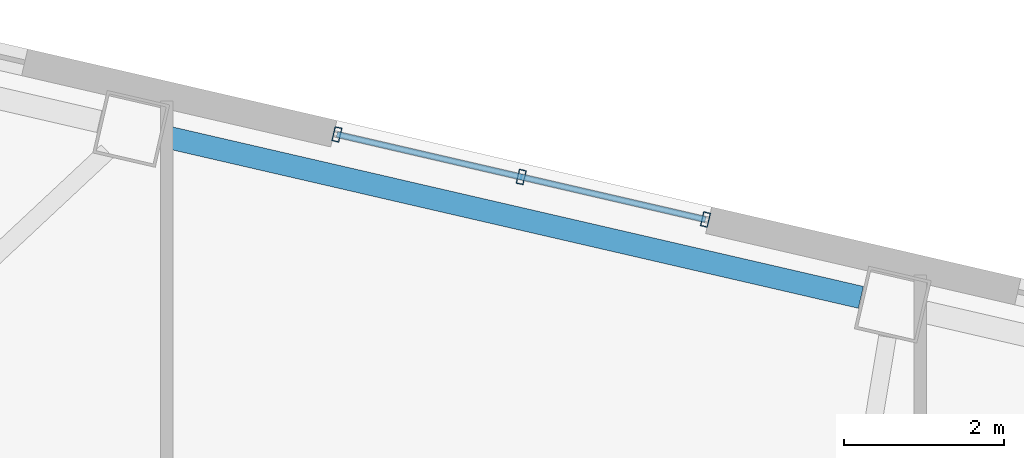
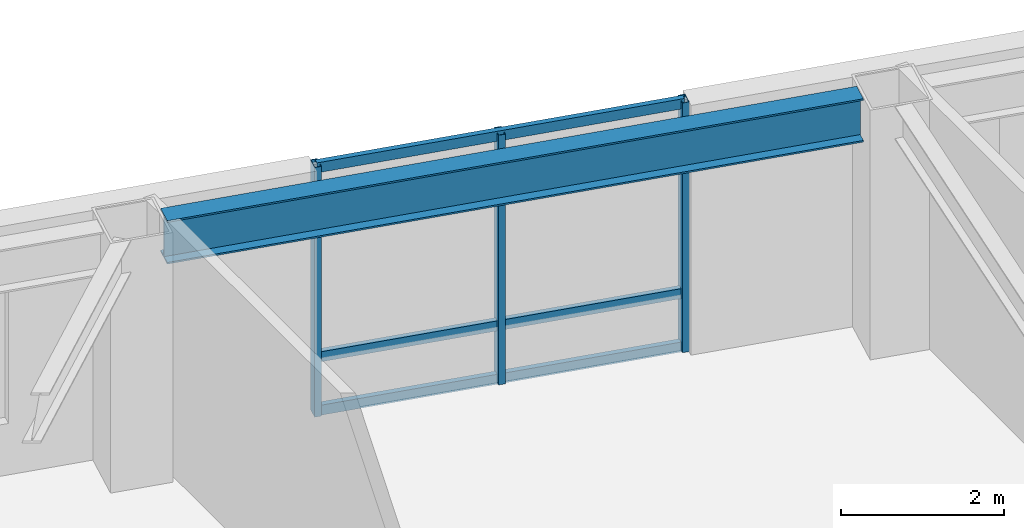
# One storey, part 8 of 23: 6 members, 1 beam, 1 element without a shape of its own.
"""IFC4 building model written with IfcOpenShell, lengths in metres."""

from ifc_helpers import new_model, si_unit, direction, frame, origin, origin_2d, place, context, subcontext, project, spatial, hollow_rectangle, i_section, extrude, material, layer, layer_set, material_profile, profile_set, type_object, element, aggregate, save


model = new_model("IFC4")

# Units and contexts
model_context = context("Model", 3, precision=1e-05, world=origin(), true_north=direction((0.0, 1.0)))
body_context = subcontext(model_context, "Body", "Model", "MODEL_VIEW")
ifc_project = project(units=[si_unit("LENGTHUNIT", "METRE"), si_unit("AREAUNIT", "SQUARE_METRE"), si_unit("VOLUMEUNIT", "CUBIC_METRE"), si_unit("PLANEANGLEUNIT", "RADIAN"), si_unit("MASSUNIT", "GRAM", prefix="KILO")], contexts=[model_context])

# Site, building, storey
site_placement = place(None, origin())
site = spatial("IfcSite", under=ifc_project, at=site_placement, CompositionType="ELEMENT")
building_placement = place(site_placement, origin())
building = spatial("IfcBuilding", under=site, at=building_placement, Name="Tavrogorsk Clinical Tower", CompositionType="ELEMENT")
storey_placement = place(building_placement, frame((0.0, 0.0, 63.39990234375)))
storey = spatial("IfcBuildingStorey", under=building, at=storey_placement, Name="L13", CompositionType="ELEMENT", Elevation=63.39990234375)

# Curtain wall, members
ifc_material_1 = material(Name="Anodised aluminium and triple IGU glazing", Category="aluminium")
ifc_layer = layer(ifc_material_1, 0.179931640625)
ifc_layer_set = layer_set([ifc_layer], Name="Anodised aluminium and triple IGU glazing")
curtain_wall_type = type_object("IfcCurtainWallType", Name="CW2_NorthSlot", PredefinedType="NOTDEFINED", material=ifc_layer_set)
curtain_wall_placement = place(storey_placement, origin())
curtain_wall = element("IfcCurtainWall", 1, at=curtain_wall_placement, inside=storey, type_object=curtain_wall_type, Name="L13 Curtain Wall CW-L13-N-SLOT-1", PredefinedType="NOTDEFINED")
ifc_material_2 = material(Name="Anodised aluminium alloy AW-6060", Category="aluminium")
ifc_material_profile_1 = material_profile(ifc_material_2, hollow_rectangle(XDim=0.090087890625, YDim=0.179931640625, WallThickness=0.00634765625, at=origin_2d()), Name="RHS-180x90x6.3")
ifc_profile_set_1 = profile_set([ifc_material_profile_1], Name="Anodised aluminium alloy AW-6060")
member_type_1 = type_object("IfcMemberType", Name="CwMullion_180x90", PredefinedType="MULLION", material=ifc_profile_set_1)
member_1_placement = place(storey_placement, frame((-3.879638671875, 24.640625, 0.0), z_axis=(0.0, 0.0, 1.0), x_axis=(-0.974370102963, 0.224950888978, 0.0)))
member_1 = element("IfcMember", 2, at=member_1_placement, type_object=member_type_1, Name="CW-L13-N-SLOT-1 Mullion 1", PredefinedType="MULLION", context=body_context, shape_type="SweptSolid", body=[
    extrude(hollow_rectangle(XDim=0.090087890625, YDim=0.179931640625, WallThickness=0.00634765625, at=origin_2d()), origin(), (0.0, 0.0, 1.0), 3.739990234375),
])
member_2_placement = place(storey_placement, frame((-6.17822265625, 25.171142578125, 0.0), z_axis=(0.0, 0.0, 1.0), x_axis=(-0.974370102963, 0.224950888978, 0.0)))
member_2 = element("IfcMember", 3, at=member_2_placement, type_object=member_type_1, Name="CW-L13-N-SLOT-1 Mullion 2", PredefinedType="MULLION", context=body_context, shape_type="SweptSolid", body=[
    extrude(hollow_rectangle(XDim=0.090087890625, YDim=0.179931640625, WallThickness=0.00634765625, at=origin_2d()), origin(), (0.0, 0.0, 1.0), 3.739990234375),
])
member_3_placement = place(storey_placement, frame((-8.476806640625, 25.701904296875, 0.0), z_axis=(0.0, 0.0, 1.0), x_axis=(-0.974370102963, 0.224950888978, 0.0)))
member_3 = element("IfcMember", 4, at=member_3_placement, type_object=member_type_1, Name="CW-L13-N-SLOT-1 Mullion 3", PredefinedType="MULLION", context=body_context, shape_type="SweptSolid", body=[
    extrude(hollow_rectangle(XDim=0.090087890625, YDim=0.179931640625, WallThickness=0.00634765625, at=origin_2d()), origin(), (0.0, 0.0, 1.0), 3.739990234375),
])
ifc_material_3 = material(Name="Anodised aluminium alloy AW-6060", Category="aluminium")
ifc_material_profile_2 = material_profile(ifc_material_3, hollow_rectangle(XDim=0.074951171875, YDim=0.14990234375, WallThickness=0.0048828125, at=origin_2d()), Name="RHS-150x75x5")
ifc_profile_set_2 = profile_set([ifc_material_profile_2], Name="Anodised aluminium alloy AW-6060")
member_type_2 = type_object("IfcMemberType", Name="CwTransom_150x75", PredefinedType="USERDEFINED", material=ifc_profile_set_2)
member_4_placement = place(storey_placement, frame((-3.879638671875, 24.640625, 0.050048828125), z_axis=(-0.974372877948, 0.22493886885, 0.0), x_axis=(-0.22493886885, -0.974372877948, 0.0)))
member_4 = element("IfcMember", 5, at=member_4_placement, type_object=member_type_2, Name="CW-L13-N-SLOT-1 Transom 1", ObjectType="TRANSOM", PredefinedType="USERDEFINED", context=body_context, shape_type="SweptSolid", body=[
    extrude(hollow_rectangle(XDim=0.074951171875, YDim=0.14990234375, WallThickness=0.0048828125, at=origin_2d()), origin(), (0.0, 0.0, 1.0), 4.718017578125),
])
member_5_placement = place(storey_placement, frame((-3.879638671875, 24.640625, 0.85009765625), z_axis=(-0.974372877948, 0.22493886885, 0.0), x_axis=(-0.22493886885, -0.974372877948, 0.0)))
member_5 = element("IfcMember", 6, at=member_5_placement, type_object=member_type_2, Name="CW-L13-N-SLOT-1 Transom 2", ObjectType="TRANSOM", PredefinedType="USERDEFINED", context=body_context, shape_type="SweptSolid", body=[
    extrude(hollow_rectangle(XDim=0.074951171875, YDim=0.14990234375, WallThickness=0.0048828125, at=origin_2d()), origin(), (0.0, 0.0, 1.0), 4.718017578125),
])
member_6_placement = place(storey_placement, frame((-3.879638671875, 24.640625, 3.690185546875), z_axis=(-0.974372877948, 0.22493886885, 0.0), x_axis=(-0.22493886885, -0.974372877948, 0.0)))
member_6 = element("IfcMember", 7, at=member_6_placement, type_object=member_type_2, Name="CW-L13-N-SLOT-1 Transom 3", ObjectType="TRANSOM", PredefinedType="USERDEFINED", context=body_context, shape_type="SweptSolid", body=[
    extrude(hollow_rectangle(XDim=0.074951171875, YDim=0.14990234375, WallThickness=0.0048828125, at=origin_2d()), origin(), (0.0, 0.0, 1.0), 4.718017578125),
])
aggregate(curtain_wall, [member_1, member_2, member_3, member_4, member_5, member_6])

# Beam
ifc_material_4 = material(Name="Structural steel S390", Category="steel")
ifc_material_profile_3 = material_profile(ifc_material_4, i_section(OverallWidth=0.280029296875, OverallDepth=0.64990234375, WebThickness=0.01611328125, FlangeThickness=0.02490234375, at=origin_2d()), Name="B-650x280x16x25")
ifc_profile_set_3 = profile_set([ifc_material_profile_3], Name="Structural steel S390")
beam_type = type_object("IfcBeamType", Name="SpandrelBeam_B650", PredefinedType="SPANDREL", material=ifc_profile_set_3)
beam_placement = place(storey_placement, frame((-1.941162109375, 23.669677734375, 3.4150390625), z_axis=(-0.974372766602, 0.224939351168, 0.0), x_axis=(-0.224939351168, -0.974372766602, 0.0)))
element("IfcBeam", 8, at=beam_placement, inside=storey, type_object=beam_type, Name="L13 Perimeter Spandrel N5-N6", PredefinedType="SPANDREL", context=body_context, shape_type="SweptSolid", body=[
    extrude(i_section(OverallWidth=0.280029296875, OverallDepth=0.64990234375, WebThickness=0.01611328125, FlangeThickness=0.02490234375, at=origin_2d()), origin(), (0.0, 0.0, 1.0), 8.9326171875),
])

save(model, "model.ifc")
